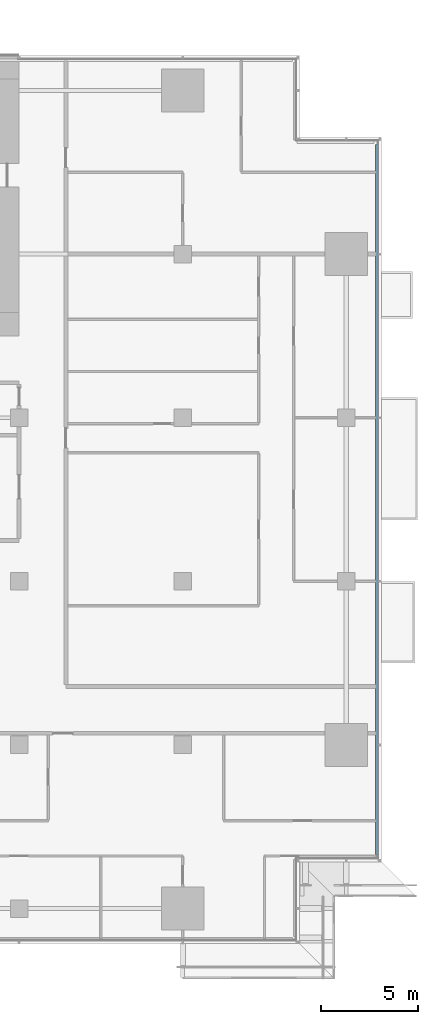
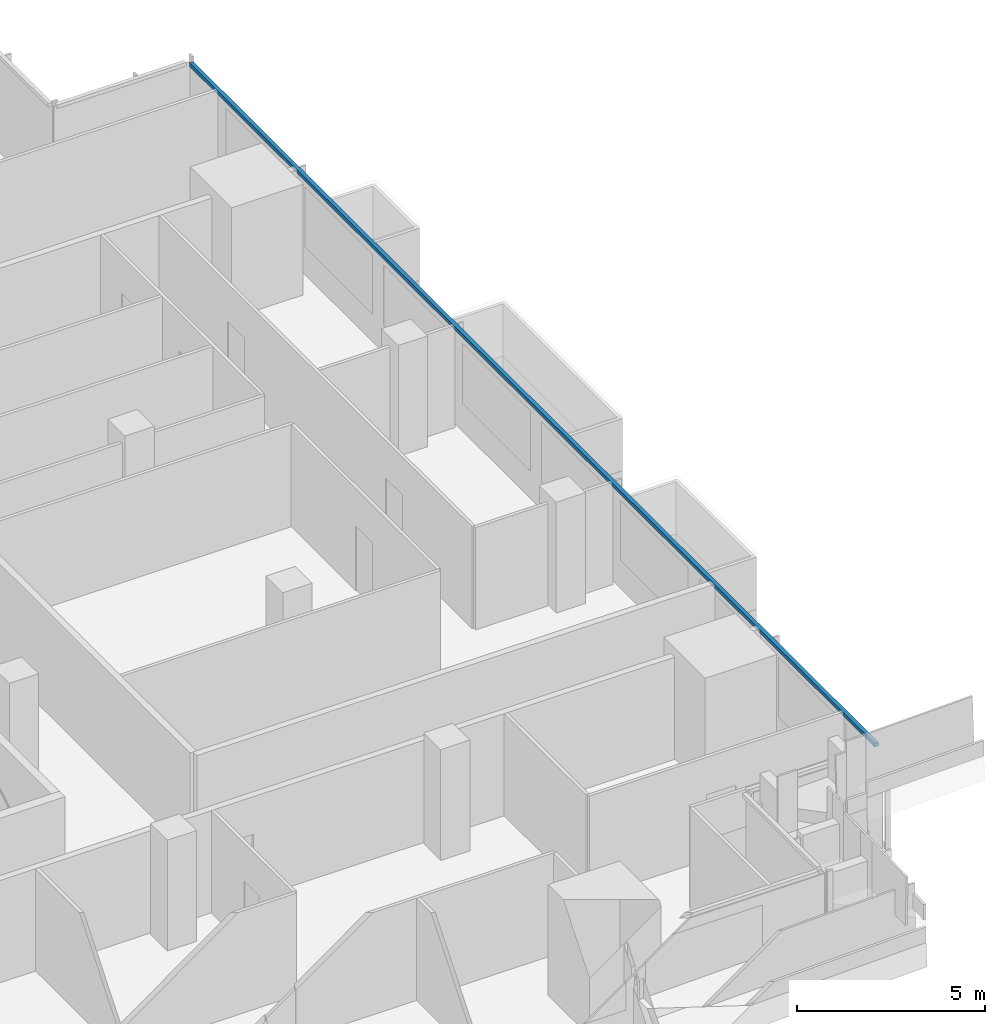
# One storey, part 12 of 29: 1 member, 1 element without a shape of its own.
"""IFC4 building model written with IfcOpenShell, lengths in metres."""

from ifc_helpers import new_model, si_unit, direction, frame, origin, origin_2d, place, context, subcontext, project, spatial, rectangle, extrude, material, material_profile, profile_set, type_object, element, aggregate, save


model = new_model("IFC4")

# Units and contexts
model_context = context("Model", 3, precision=1e-05, world=origin(), true_north=direction((0.0, 1.0)))
body_context = subcontext(model_context, "Body", "Model", "MODEL_VIEW")
ifc_project = project(units=[si_unit("LENGTHUNIT", "METRE"), si_unit("AREAUNIT", "SQUARE_METRE"), si_unit("VOLUMEUNIT", "CUBIC_METRE"), si_unit("PLANEANGLEUNIT", "RADIAN"), si_unit("MASSUNIT", "GRAM", prefix="KILO")], contexts=[model_context])

# Site, building, storey
site_placement = place(None, origin())
site = spatial("IfcSite", under=ifc_project, at=site_placement, CompositionType="ELEMENT")
building_placement = place(site_placement, origin())
building = spatial("IfcBuilding", under=site, at=building_placement, Name="Saffron Gate Tower", CompositionType="ELEMENT")
storey_placement = place(building_placement, frame((0.0, 0.0, 48.0)))
storey = spatial("IfcBuildingStorey", under=building, at=storey_placement, Name="L10", CompositionType="ELEMENT", Elevation=48.0)

# Curtain wall, member
ifc_material = material(Name="Aluminium, bronze anodised", Category="aluminium")
curtain_wall_type = type_object("IfcCurtainWallType", Name="CWS2 curtain wall side facades", PredefinedType="NOTDEFINED", material=ifc_material)
curtain_wall_placement = place(storey_placement, origin())
curtain_wall = element("IfcCurtainWall", 1, at=curtain_wall_placement, inside=storey, type_object=curtain_wall_type, Name="CWS2 run 4", PredefinedType="NOTDEFINED")
ifc_material_profile = material_profile(ifc_material, rectangle(XDim=0.1201171875, YDim=0.1201171875, at=origin_2d()))
ifc_profile_set = profile_set([ifc_material_profile], Name="Aluminium, bronze anodised")
member_type = type_object("IfcMemberType", Name="CWS2 head transom", PredefinedType="USERDEFINED", material=ifc_profile_set)
member_placement = place(storey_placement, frame((126.951904296875, 34.568115234375, 3.260009765625), z_axis=(0.0, 1.0, 0.0), x_axis=(-1.0, 0.0, 0.0)))
member = element("IfcMember", 2, at=member_placement, type_object=member_type, Name="CWS2 head transom", ObjectType="TRANSOM", PredefinedType="USERDEFINED", context=body_context, shape_type="SweptSolid", body=[
    extrude(rectangle(XDim=0.1201171875, YDim=0.1201171875, at=origin_2d()), origin(), (0.0, 0.0, 1.0), 36.4638671875),
])
aggregate(curtain_wall, [member])

save(model, "model.ifc")
